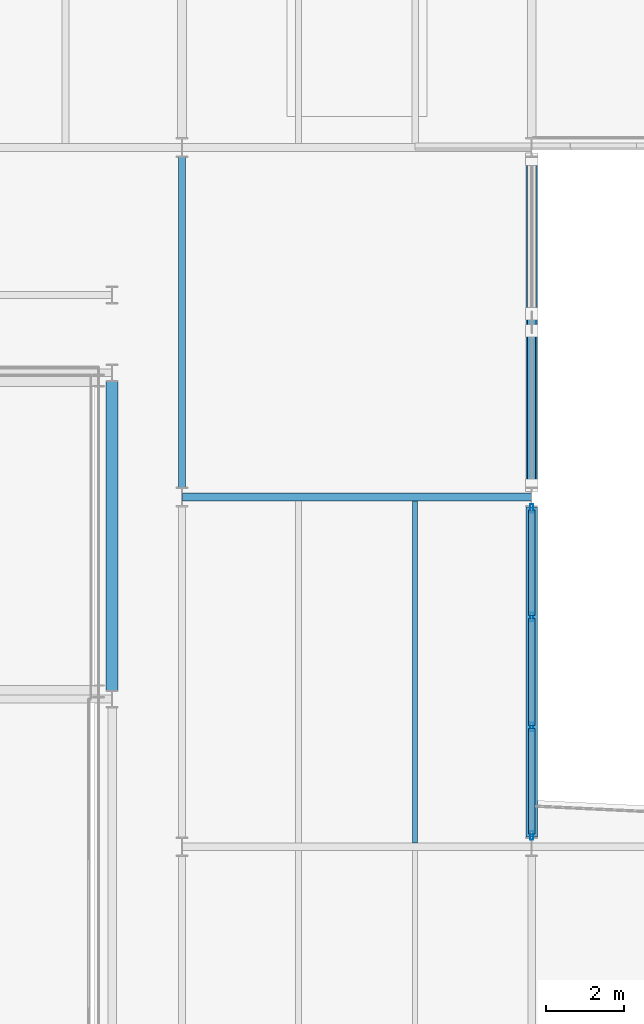
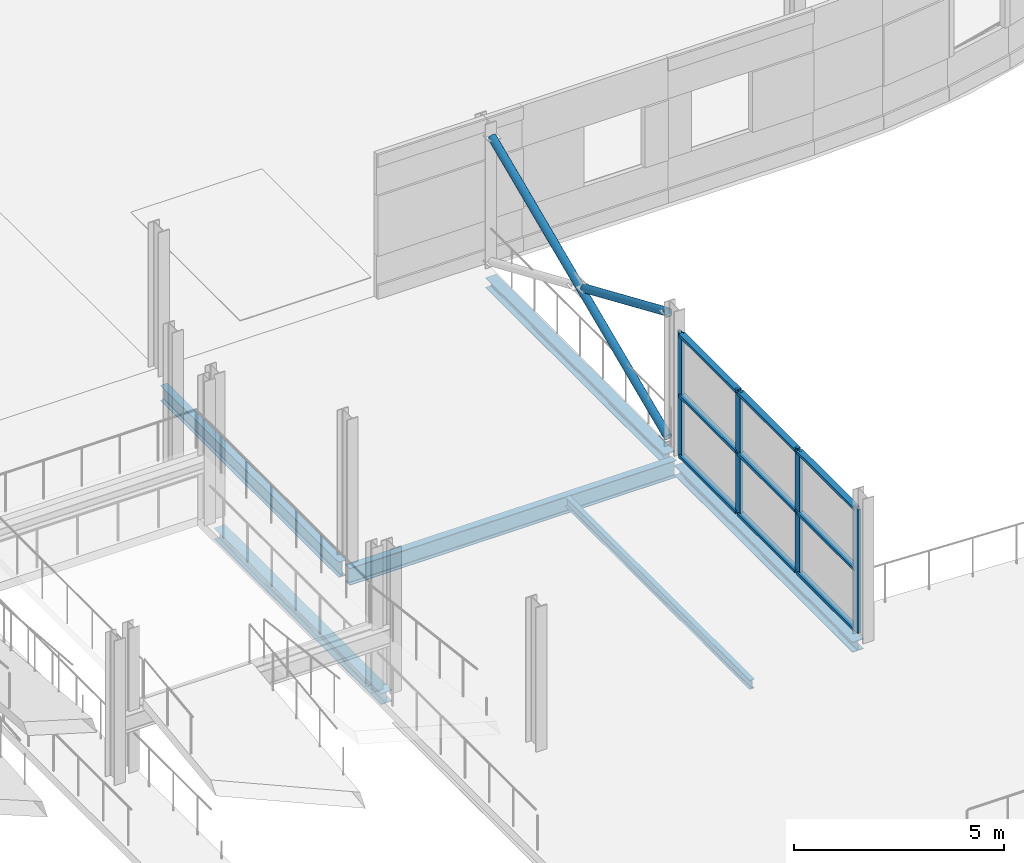
# One storey, part 74 of 135: 15 members, 6 beams, 1 element without a shape of its own.
"""IFC4 building model written with IfcOpenShell, lengths in metres."""

from ifc_helpers import new_model, si_unit, direction, frame, origin, origin_2d, place, context, subcontext, project, spatial, hollow_rectangle, hollow_circle, i_section, extrude, material, layer, layer_set, material_profile, profile_set, type_object, element, aggregate, save


model = new_model("IFC4")

# Units and contexts
model_context = context("Model", 3, precision=1e-05, world=origin(), true_north=direction((0.0, 1.0)))
body_context = subcontext(model_context, "Body", "Model", "MODEL_VIEW")
ifc_project = project(units=[si_unit("LENGTHUNIT", "METRE"), si_unit("AREAUNIT", "SQUARE_METRE"), si_unit("VOLUMEUNIT", "CUBIC_METRE"), si_unit("PLANEANGLEUNIT", "RADIAN"), si_unit("MASSUNIT", "GRAM", prefix="KILO")], contexts=[model_context])

# Site, building, storey
site_placement = place(None, origin())
site = spatial("IfcSite", under=ifc_project, at=site_placement, CompositionType="ELEMENT")
building_placement = place(site_placement, origin())
building = spatial("IfcBuilding", under=site, at=building_placement, Name="Deido Ridge Mobility Hub", CompositionType="ELEMENT")
storey_placement = place(building_placement, frame((0.0, 0.0, 4.199951171875)))
storey = spatial("IfcBuildingStorey", under=building, at=storey_placement, Name="L01", CompositionType="ELEMENT", Elevation=4.199951171875)

# Beams
ifc_material_1 = material(Name="Steel S355J2 EN 10025-2", Category="steel")
ifc_material_profile_1 = material_profile(ifc_material_1, i_section(OverallWidth=0.300048828125, OverallDepth=0.330078125, WebThickness=0.009521484375, FlangeThickness=0.0166015625, FilletRadius=0.027099609375, at=origin_2d()), Name="HEA 340")
ifc_profile_set_1 = profile_set([ifc_material_profile_1], Name="Steel S355J2 EN 10025-2")
beam_type_1 = type_object("IfcBeamType", Name="BM-HEA340", PredefinedType="BEAM", material=ifc_profile_set_1)
beam_1_placement = place(storey_placement, frame((97.199951171875, 67.02490234375, -0.4150390625), z_axis=(0.0, 1.0, 0.0), x_axis=(-1.0, 0.0, 0.0)))
element("IfcBeam", 1, at=beam_1_placement, inside=storey, type_object=beam_type_1, Name="Floor beam B6", PredefinedType="BEAM", context=body_context, shape_type="SweptSolid", body=[
    extrude(i_section(OverallWidth=0.300048828125, OverallDepth=0.330078125, WebThickness=0.009521484375, FlangeThickness=0.0166015625, FilletRadius=0.027099609375, at=origin_2d()), origin(), (0.0, 0.0, 1.0), 7.9501953125),
])
ifc_material_profile_2 = material_profile(ifc_material_1, i_section(OverallWidth=0.18994140625, OverallDepth=0.449951171875, WebThickness=0.009521484375, FlangeThickness=0.0146484375, FilletRadius=0.02099609375, at=origin_2d()), Name="IPE 450")
ifc_profile_set_2 = profile_set([ifc_material_profile_2], Name="Steel S355J2 EN 10025-2")
beam_type_2 = type_object("IfcBeamType", Name="BM-IPE450", PredefinedType="BEAM", material=ifc_profile_set_2)
beam_2_placement = place(storey_placement, frame((99.0, 72.25, -0.474853515625), z_axis=(0.0, 1.0, 0.0), x_axis=(-1.0, 0.0, 0.0)))
element("IfcBeam", 2, at=beam_2_placement, inside=storey, type_object=beam_type_2, Name="Floor beam B4", PredefinedType="BEAM", context=body_context, shape_type="SweptSolid", body=[
    extrude(i_section(OverallWidth=0.18994140625, OverallDepth=0.449951171875, WebThickness=0.009521484375, FlangeThickness=0.0146484375, FilletRadius=0.02099609375, at=origin_2d()), origin(), (0.0, 0.0, 1.0), 8.5),
])
ifc_material_profile_3 = material_profile(ifc_material_1, i_section(OverallWidth=0.199951171875, OverallDepth=0.5, WebThickness=0.01025390625, FlangeThickness=0.01611328125, FilletRadius=0.02099609375, at=origin_2d()), Name="IPE 500")
ifc_profile_set_3 = profile_set([ifc_material_profile_3], Name="Steel S355J2 EN 10025-2")
beam_type_3 = type_object("IfcBeamType", Name="BM-IPE500", PredefinedType="BEAM", material=ifc_profile_set_3)
beam_3_placement = place(storey_placement, frame((99.007080078125, 72.0, -0.5), z_axis=(1.0, 0.0, 0.0), x_axis=(0.0, 1.0, 0.0)))
element("IfcBeam", 3, at=beam_3_placement, inside=storey, type_object=beam_type_3, Name="Floor beam B3", PredefinedType="BEAM", context=body_context, shape_type="SweptSolid", body=[
    extrude(i_section(OverallWidth=0.199951171875, OverallDepth=0.5, WebThickness=0.01025390625, FlangeThickness=0.01611328125, FilletRadius=0.02099609375, at=origin_2d()), origin(), (0.0, 0.0, 1.0), 8.98583984375),
])
ifc_material_profile_4 = material_profile(ifc_material_1, i_section(OverallWidth=0.135009765625, OverallDepth=0.27001953125, WebThickness=0.006591796875, FlangeThickness=0.01025390625, FilletRadius=0.014892578125, at=origin_2d()), Name="IPE 270")
ifc_profile_set_4 = profile_set([ifc_material_profile_4], Name="Steel S355J2 EN 10025-2")
beam_type_4 = type_object("IfcBeamType", Name="JST-IPE270", PredefinedType="JOIST", material=ifc_profile_set_4)
beam_4_placement = place(storey_placement, frame((105.0, 63.10009765625, -0.385009765625), z_axis=(0.0, 1.0, 0.0), x_axis=(-1.0, 0.0, 0.0)))
element("IfcBeam", 4, at=beam_4_placement, inside=storey, type_object=beam_type_4, Name="Composite joist J4", PredefinedType="JOIST", context=body_context, shape_type="SweptSolid", body=[
    extrude(i_section(OverallWidth=0.135009765625, OverallDepth=0.27001953125, WebThickness=0.006591796875, FlangeThickness=0.01025390625, FilletRadius=0.014892578125, at=origin_2d()), origin(), (0.0, 0.0, 1.0), 8.7998046875),
])

# Members
ifc_material_2 = material(Name="Steel S355J2H EN 10210-1", Category="steel")
ifc_material_profile_5 = material_profile(ifc_material_2, hollow_circle(Radius=0.109619140625, WallThickness=0.010009765625, at=origin_2d()), Name="CHS 219.1x10")
ifc_profile_set_5 = profile_set([ifc_material_profile_5], Name="Steel S355J2H EN 10210-1")
member_type_1 = type_object("IfcMemberType", Name="MEM-BRC-CHS219", PredefinedType="BRACE", material=ifc_profile_set_5)
member_1_placement = place(storey_placement, frame((108.0, 72.300048828125, 0.179931640625), z_axis=(0.0, 0.91754849034, 0.397623902545), x_axis=(-1.0, 0.0, 0.0)))
element("IfcMember", 5, at=member_1_placement, inside=storey, type_object=member_type_1, Name="Continuous X-brace diagonal BR2", PredefinedType="BRACE", context=body_context, shape_type="SweptSolid", body=[
    extrude(hollow_circle(Radius=0.109619140625, WallThickness=0.010009765625, at=origin_2d()), origin(), (0.0, 0.0, 1.0), 9.15478515625),
])
member_2_placement = place(storey_placement, frame((108.0, 76.27978515625, 2.095458984375), z_axis=(0.0, -0.917550833654, 0.397618495119), x_axis=(1.0, 0.0, 0.0)))
element("IfcMember", 6, at=member_2_placement, inside=storey, type_object=member_type_1, Name="Split X-brace diagonal segment BR2", PredefinedType="BRACE", context=body_context, shape_type="SweptSolid", body=[
    extrude(hollow_circle(Radius=0.109619140625, WallThickness=0.010009765625, at=origin_2d()), origin(), (0.0, 0.0, 1.0), 4.33740234375),
])

# Curtain wall, members
ifc_material_3 = material(Name="Anodised aluminium EN AW-6063 T6", Category="aluminium")
ifc_layer = layer(ifc_material_3, 0.22509765625, Name="Anodised aluminium EN AW-6063 T6")
ifc_layer_set = layer_set([ifc_layer], Name="Anodised aluminium EN AW-6063 T6")
curtain_wall_type = type_object("IfcCurtainWallType", Name="CW-UF-5", PredefinedType="USERDEFINED", material=ifc_layer_set)
curtain_wall_placement = place(storey_placement, origin())
curtain_wall = element("IfcCurtainWall", 7, at=curtain_wall_placement, inside=storey, type_object=curtain_wall_type, Name="Unitised curtain wall CW5", ObjectType="UNITISED FACADE", PredefinedType="USERDEFINED")
ifc_material_profile_6 = material_profile(ifc_material_3, hollow_rectangle(XDim=0.080078125, YDim=0.219970703125, WallThickness=0.00390625, at=origin_2d()), Name="RHS 80x220x4")
ifc_profile_set_6 = profile_set([ifc_material_profile_6], Name="Anodised aluminium EN AW-6063 T6")
member_type_2 = type_object("IfcMemberType", Name="MEM-MUL-80X220", PredefinedType="MULLION", material=ifc_profile_set_6)
member_3_placement = place(storey_placement, frame((108.0, 63.2900390625, 0.0), z_axis=(0.0, 0.0, 1.0), x_axis=(-1.0, 0.0, 0.0)))
member_3 = element("IfcMember", 8, at=member_3_placement, type_object=member_type_2, Name="CW5 mullion 1", PredefinedType="MULLION", context=body_context, shape_type="SweptSolid", body=[
    extrude(hollow_rectangle(XDim=0.080078125, YDim=0.219970703125, WallThickness=0.00390625, at=origin_2d()), origin(), (0.0, 0.0, 1.0), 3.60009765625),
])
member_4_placement = place(storey_placement, frame((108.0, 66.083251953125, 0.0), z_axis=(0.0, 0.0, 1.0), x_axis=(-1.0, 0.0, 0.0)))
member_4 = element("IfcMember", 9, at=member_4_placement, type_object=member_type_2, Name="CW5 mullion 2", PredefinedType="MULLION", context=body_context, shape_type="SweptSolid", body=[
    extrude(hollow_rectangle(XDim=0.080078125, YDim=0.219970703125, WallThickness=0.00390625, at=origin_2d()), origin(), (0.0, 0.0, 1.0), 3.60009765625),
])
member_5_placement = place(storey_placement, frame((108.0, 68.916748046875, 0.0), z_axis=(0.0, 0.0, 1.0), x_axis=(-1.0, 0.0, 0.0)))
member_5 = element("IfcMember", 10, at=member_5_placement, type_object=member_type_2, Name="CW5 mullion 3", PredefinedType="MULLION", context=body_context, shape_type="SweptSolid", body=[
    extrude(hollow_rectangle(XDim=0.080078125, YDim=0.219970703125, WallThickness=0.00390625, at=origin_2d()), origin(), (0.0, 0.0, 1.0), 3.60009765625),
])
member_6_placement = place(storey_placement, frame((108.0, 71.7099609375, 0.0), z_axis=(0.0, 0.0, 1.0), x_axis=(-1.0, 0.0, 0.0)))
member_6 = element("IfcMember", 11, at=member_6_placement, type_object=member_type_2, Name="CW5 mullion 4", PredefinedType="MULLION", context=body_context, shape_type="SweptSolid", body=[
    extrude(hollow_rectangle(XDim=0.080078125, YDim=0.219970703125, WallThickness=0.00390625, at=origin_2d()), origin(), (0.0, 0.0, 1.0), 3.60009765625),
])
ifc_material_profile_7 = material_profile(ifc_material_3, hollow_rectangle(XDim=0.1650390625, YDim=0.080078125, WallThickness=0.00390625, at=origin_2d()), Name="RHS 165x80x4")
ifc_profile_set_7 = profile_set([ifc_material_profile_7], Name="Anodised aluminium EN AW-6063 T6")
member_type_3 = type_object("IfcMemberType", Name="MEM-TRN-165X80", PredefinedType="USERDEFINED", material=ifc_profile_set_7)
member_7_placement = place(storey_placement, frame((108.0, 63.330078125, 0.0400390625), z_axis=(0.0, 1.0, 0.0), x_axis=(-1.0, 0.0, 0.0)))
member_7 = element("IfcMember", 12, at=member_7_placement, type_object=member_type_3, Name="CW5 transom 1.1", ObjectType="TRANSOM", PredefinedType="USERDEFINED", context=body_context, shape_type="SweptSolid", body=[
    extrude(hollow_rectangle(XDim=0.1650390625, YDim=0.080078125, WallThickness=0.00390625, at=origin_2d()), origin(), (0.0, 0.0, 1.0), 2.713134765625),
])
member_8_placement = place(storey_placement, frame((108.0, 63.330078125, 1.800048828125), z_axis=(0.0, 1.0, 0.0), x_axis=(-1.0, 0.0, 0.0)))
member_8 = element("IfcMember", 13, at=member_8_placement, type_object=member_type_3, Name="CW5 transom 1.2", ObjectType="TRANSOM", PredefinedType="USERDEFINED", context=body_context, shape_type="SweptSolid", body=[
    extrude(hollow_rectangle(XDim=0.1650390625, YDim=0.080078125, WallThickness=0.00390625, at=origin_2d()), origin(), (0.0, 0.0, 1.0), 2.713134765625),
])
member_9_placement = place(storey_placement, frame((108.0, 63.330078125, 3.56005859375), z_axis=(0.0, 1.0, 0.0), x_axis=(-1.0, 0.0, 0.0)))
member_9 = element("IfcMember", 14, at=member_9_placement, type_object=member_type_3, Name="CW5 transom 1.3", ObjectType="TRANSOM", PredefinedType="USERDEFINED", context=body_context, shape_type="SweptSolid", body=[
    extrude(hollow_rectangle(XDim=0.1650390625, YDim=0.080078125, WallThickness=0.00390625, at=origin_2d()), origin(), (0.0, 0.0, 1.0), 2.713134765625),
])
member_10_placement = place(storey_placement, frame((108.0, 66.123291015625, 0.0400390625), z_axis=(0.0, 1.0, 0.0), x_axis=(-1.0, 0.0, 0.0)))
member_10 = element("IfcMember", 15, at=member_10_placement, type_object=member_type_3, Name="CW5 transom 2.1", ObjectType="TRANSOM", PredefinedType="USERDEFINED", context=body_context, shape_type="SweptSolid", body=[
    extrude(hollow_rectangle(XDim=0.1650390625, YDim=0.080078125, WallThickness=0.00390625, at=origin_2d()), origin(), (0.0, 0.0, 1.0), 2.75341796875),
])
member_11_placement = place(storey_placement, frame((108.0, 66.123291015625, 1.800048828125), z_axis=(0.0, 1.0, 0.0), x_axis=(-1.0, 0.0, 0.0)))
member_11 = element("IfcMember", 16, at=member_11_placement, type_object=member_type_3, Name="CW5 transom 2.2", ObjectType="TRANSOM", PredefinedType="USERDEFINED", context=body_context, shape_type="SweptSolid", body=[
    extrude(hollow_rectangle(XDim=0.1650390625, YDim=0.080078125, WallThickness=0.00390625, at=origin_2d()), origin(), (0.0, 0.0, 1.0), 2.75341796875),
])
member_12_placement = place(storey_placement, frame((108.0, 66.123291015625, 3.56005859375), z_axis=(0.0, 1.0, 0.0), x_axis=(-1.0, 0.0, 0.0)))
member_12 = element("IfcMember", 17, at=member_12_placement, type_object=member_type_3, Name="CW5 transom 2.3", ObjectType="TRANSOM", PredefinedType="USERDEFINED", context=body_context, shape_type="SweptSolid", body=[
    extrude(hollow_rectangle(XDim=0.1650390625, YDim=0.080078125, WallThickness=0.00390625, at=origin_2d()), origin(), (0.0, 0.0, 1.0), 2.75341796875),
])
member_13_placement = place(storey_placement, frame((108.0, 68.956787109375, 0.0400390625), z_axis=(0.0, 1.0, 0.0), x_axis=(-1.0, 0.0, 0.0)))
member_13 = element("IfcMember", 18, at=member_13_placement, type_object=member_type_3, Name="CW5 transom 3.1", ObjectType="TRANSOM", PredefinedType="USERDEFINED", context=body_context, shape_type="SweptSolid", body=[
    extrude(hollow_rectangle(XDim=0.1650390625, YDim=0.080078125, WallThickness=0.00390625, at=origin_2d()), origin(), (0.0, 0.0, 1.0), 2.713134765625),
])
member_14_placement = place(storey_placement, frame((108.0, 68.956787109375, 1.800048828125), z_axis=(0.0, 1.0, 0.0), x_axis=(-1.0, 0.0, 0.0)))
member_14 = element("IfcMember", 19, at=member_14_placement, type_object=member_type_3, Name="CW5 transom 3.2", ObjectType="TRANSOM", PredefinedType="USERDEFINED", context=body_context, shape_type="SweptSolid", body=[
    extrude(hollow_rectangle(XDim=0.1650390625, YDim=0.080078125, WallThickness=0.00390625, at=origin_2d()), origin(), (0.0, 0.0, 1.0), 2.713134765625),
])
member_15_placement = place(storey_placement, frame((108.0, 68.956787109375, 3.56005859375), z_axis=(0.0, 1.0, 0.0), x_axis=(-1.0, 0.0, 0.0)))
member_15 = element("IfcMember", 20, at=member_15_placement, type_object=member_type_3, Name="CW5 transom 3.3", ObjectType="TRANSOM", PredefinedType="USERDEFINED", context=body_context, shape_type="SweptSolid", body=[
    extrude(hollow_rectangle(XDim=0.1650390625, YDim=0.080078125, WallThickness=0.00390625, at=origin_2d()), origin(), (0.0, 0.0, 1.0), 2.713134765625),
])
aggregate(curtain_wall, [member_3, member_4, member_5, member_6, member_7, member_8, member_9, member_10, member_11, member_12, member_13, member_14, member_15])

# Beams
ifc_material_profile_8 = material_profile(ifc_material_1, i_section(OverallWidth=0.300048828125, OverallDepth=0.300048828125, WebThickness=0.010986328125, FlangeThickness=0.01904296875, FilletRadius=0.027099609375, at=origin_2d()), Name="HEB 300")
ifc_profile_set_8 = profile_set([ifc_material_profile_8], Name="Steel S355J2 EN 10025-2")
beam_type_5 = type_object("IfcBeamType", Name="SPD-HEB300", PredefinedType="SPANDREL", material=ifc_profile_set_8)
for number, where, z_axis, x_axis, name in (
    (21, (108.0, 63.25, -0.39990234375), (0.0, 1.0, 0.0), (-1.0, 0.0, 0.0), "Floor beam SP1"),
    (22, (108.0, 72.25, -0.39990234375), (0.0, 1.0, 0.0), (-1.0, 0.0, 0.0), "Floor beam SP1"),
):
    element("IfcBeam", number, at=place(storey_placement, frame(where, z_axis=z_axis, x_axis=x_axis)), inside=storey, type_object=beam_type_5, Name=name, PredefinedType="SPANDREL", context=body_context, shape_type="SweptSolid", body=[
        extrude(i_section(OverallWidth=0.300048828125, OverallDepth=0.300048828125, WebThickness=0.010986328125, FlangeThickness=0.01904296875, FilletRadius=0.027099609375, at=origin_2d()), origin(), (0.0, 0.0, 1.0), 8.5),
    ])

save(model, "model.ifc")
